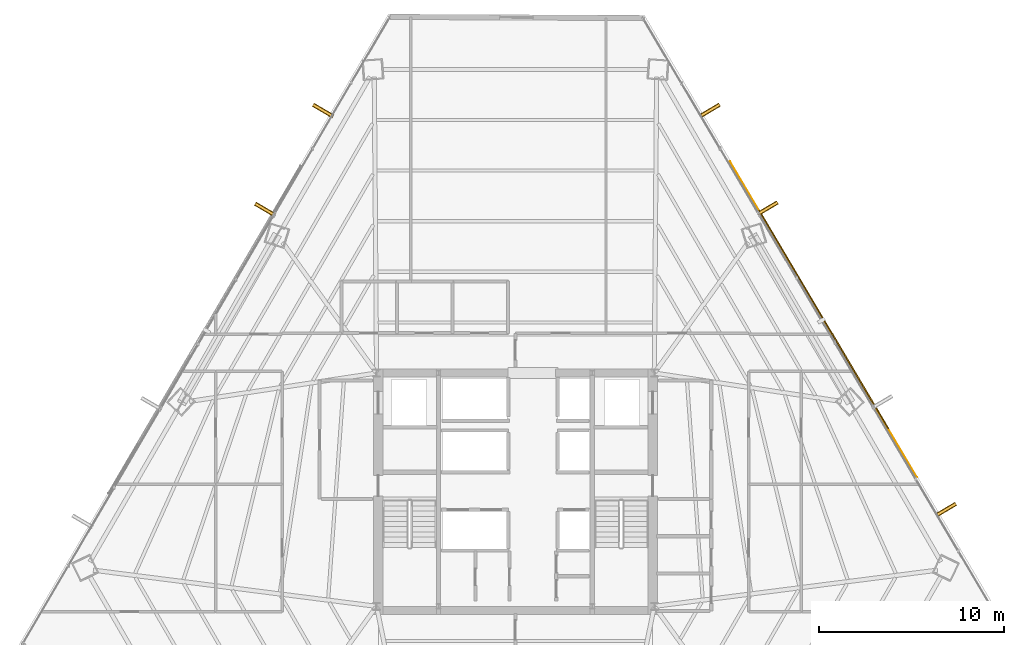
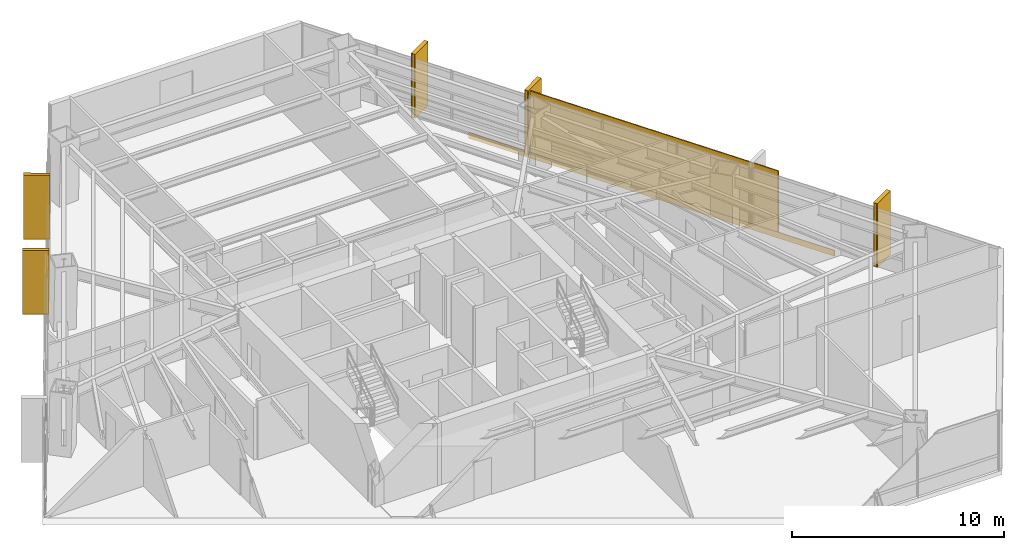
# One storey, part 35 of 35: 6 coverings, 6 shading devices.
"""IFC4 building model written with IfcOpenShell, lengths in metres."""

import ifcopenshell
import ifcopenshell.guid

model = None  # the IFC model being written
_history = None  # IfcOwnerHistory: only IFC2X3 demands one
_inside = {}  # id of a spatial element -> (the spatial element, [elements in it])
_under = {}  # id of a project, library or spatial element -> (it, [spatial elements below it])
_declared = {}  # id of a project -> (the project, [libraries it declares])
_typed = {}  # id of a type object -> (the type object, [elements of that type])
_made_of = {}  # id of a material, layer set ... -> (it, [elements and type objects made of it])


def new_model(schema):
    """Start an empty IFC model of exactly this schema.

    Asked for "IFC4X3", IfcOpenShell would pick the latest addendum, in which some entities
    have other attributes; the version numbers below select the first issue.
    IFC2X3 requires an IfcOwnerHistory on every rooted entity: one is made here for all.
    """
    global model, _history
    if schema == "IFC4X3":
        model = ifcopenshell.file(schema_version=(4, 3, 0, 0))
    else:
        model = ifcopenshell.file(schema=schema)
    _inside.clear()
    _under.clear()
    _declared.clear()
    _typed.clear()
    _made_of.clear()
    _history = None
    if model.schema == "IFC2X3":
        org = make("IfcOrganization", Name="unknown")
        user = make(
            "IfcPersonAndOrganization",
            ThePerson=make("IfcPerson", FamilyName="unknown"),
            TheOrganization=org,
        )
        app = make(
            "IfcApplication",
            ApplicationDeveloper=org,
            Version="unknown",
            ApplicationFullName="unknown",
            ApplicationIdentifier="unknown",
        )
        _history = make(
            "IfcOwnerHistory",
            OwningUser=user,
            OwningApplication=app,
            ChangeAction="ADDED",
            CreationDate=0,
        )
    return model


def make(cls, **values):
    """One entity of the class cls with the attributes given. An attribute that is None is left unset."""
    return model.create_entity(
        cls, **{name: value for name, value in values.items() if value is not None}
    )


def rooted(cls, **values):
    """An entity with a GlobalId (a new one), such as an element, a storey or a relation."""
    return make(cls, GlobalId=ifcopenshell.guid.new(), OwnerHistory=_history, **values)


def si_unit(unit_type, name, prefix=None):
    """IfcSIUnit, for example si_unit("LENGTHUNIT", "METRE", prefix="MILLI")."""
    return make("IfcSIUnit", UnitType=unit_type, Prefix=prefix, Name=name)


def assignment(units):
    """IfcUnitAssignment: the units of a project."""
    return None if units is None else make("IfcUnitAssignment", Units=units)


def point(xyz):
    """IfcCartesianPoint."""
    return None if xyz is None else make("IfcCartesianPoint", Coordinates=xyz)


def direction(xyz):
    """IfcDirection."""
    return None if xyz is None else make("IfcDirection", DirectionRatios=xyz)


def frame(location, z_axis=None, x_axis=None):
    """IfcAxis2Placement3D, a coordinate frame: its origin and axes. An axis left out is left unset."""
    return make(
        "IfcAxis2Placement3D",
        Location=point(location),
        Axis=direction(z_axis),
        RefDirection=direction(x_axis),
    )


def frame_2d(location, x_axis=None):
    """IfcAxis2Placement2D, a coordinate frame in the plane: its origin and x axis."""
    return make(
        "IfcAxis2Placement2D", Location=point(location), RefDirection=direction(x_axis)
    )


def origin():
    """The frame at (0, 0, 0) with its axes left unset."""
    return frame((0.0, 0.0, 0.0))


def origin_2d():
    """The frame at (0, 0) in the plane with its x axis left unset."""
    return frame_2d((0.0, 0.0))


def place(relative_to, where):
    """IfcLocalPlacement: puts the frame where relative to a parent placement (None: the world)."""
    return make(
        "IfcLocalPlacement", PlacementRelTo=relative_to, RelativePlacement=where
    )


def context(
    kind, dimensions, precision=None, world=None, true_north=None, identifier=None
):
    """IfcGeometricRepresentationContext, for example the 3D "Model" context."""
    return make(
        "IfcGeometricRepresentationContext",
        ContextIdentifier=identifier,
        ContextType=kind,
        CoordinateSpaceDimension=dimensions,
        Precision=precision,
        WorldCoordinateSystem=world,
        TrueNorth=true_north,
    )


def subcontext(parent, identifier, kind, view, scale=None):
    """IfcGeometricRepresentationSubContext, for example "Body" below "Model"."""
    return make(
        "IfcGeometricRepresentationSubContext",
        ContextIdentifier=identifier,
        ContextType=kind,
        ParentContext=parent,
        TargetScale=scale,
        TargetView=view,
    )


def project(units=None, contexts=None):
    """IfcProject with its units and contexts."""
    return rooted(
        "IfcProject",
        Name="project",
        RepresentationContexts=contexts,
        UnitsInContext=assignment(units),
    )


def spatial(cls, under=None, at=None, **own):
    """A site, building, storey or space (cls), placed at a placement, below another one or the project."""
    s = rooted(cls, ObjectPlacement=at, **own)
    if under is not None:
        _under.setdefault(under.id(), (under, []))[1].append(s)
    return s


def profile(cls, at=None, kind="AREA", **sizes):
    """A parametric profile (cls). Its sizes go by their IFC names, for example OverallWidth=200.0."""
    return make(cls, ProfileType=kind, Position=at, **sizes)


def rectangle(**sizes):
    """IfcRectangleProfileDef."""
    return profile("IfcRectangleProfileDef", **sizes)


def extrude(swept, where, along, depth):
    """IfcExtrudedAreaSolid: the profile swept, set in the frame where, extruded along a direction by depth."""
    return make(
        "IfcExtrudedAreaSolid",
        SweptArea=swept,
        Position=where,
        ExtrudedDirection=direction(along),
        Depth=depth,
    )


def shape(context_of_items, identifier, shape_type, items):
    """IfcShapeRepresentation: the items that make up one representation, for example the "Body"."""
    return make(
        "IfcShapeRepresentation",
        ContextOfItems=context_of_items,
        RepresentationIdentifier=identifier,
        RepresentationType=shape_type,
        Items=items,
    )


def source(mapping_origin, context_of_items, identifier, shape_type, items):
    """IfcRepresentationMap: a shape defined once, which mapped items show again and again."""
    return make(
        "IfcRepresentationMap",
        MappingOrigin=mapping_origin,
        MappedRepresentation=shape(context_of_items, identifier, shape_type, items),
    )


def transform(
    local_origin,
    x_axis=None,
    y_axis=None,
    z_axis=None,
    scale=None,
    scale2=None,
    scale3=None,
    uniform=True,
):
    """IfcCartesianTransformationOperator3D, or its non-uniform kind. x_axis, y_axis, z_axis: its Axis1, 2, 3."""
    if uniform:
        return make(
            "IfcCartesianTransformationOperator3D",
            Axis1=direction(x_axis),
            Axis2=direction(y_axis),
            LocalOrigin=point(local_origin),
            Scale=scale,
            Axis3=direction(z_axis),
        )
    return make(
        "IfcCartesianTransformationOperator3DnonUniform",
        Axis1=direction(x_axis),
        Axis2=direction(y_axis),
        LocalOrigin=point(local_origin),
        Scale=scale,
        Axis3=direction(z_axis),
        Scale2=scale2,
        Scale3=scale3,
    )


def mapped(mapping_source, mapping_target):
    """IfcMappedItem: shows the shape of a source again, moved by a transform."""
    return make(
        "IfcMappedItem", MappingSource=mapping_source, MappingTarget=mapping_target
    )


def material(Name=None, Category=None):
    """IfcMaterial."""
    return make("IfcMaterial", Name=Name, Category=Category)


def layer(
    of_material, thickness, ventilated=None, Name=None, Category=None, Priority=None
):
    """IfcMaterialLayer: one layer of a wall or slab, of a material (None: an air gap)."""
    return make(
        "IfcMaterialLayer",
        Material=of_material,
        LayerThickness=thickness,
        IsVentilated=ventilated,
        Name=Name,
        Category=Category,
        Priority=Priority,
    )


def layer_set(layers, Name=None):
    """IfcMaterialLayerSet."""
    return make("IfcMaterialLayerSet", MaterialLayers=layers, LayerSetName=Name)


def made_of(thing, what):
    """Note that an element or type object is made of a material, layer set ...; save() writes the relation."""
    if what is not None:
        _made_of.setdefault(what.id(), (what, []))[1].append(thing)
    return thing


def type_object(cls, material=None, **own):
    """A type object (cls), such as IfcWallType, which elements share."""
    return made_of(rooted(cls, **own), material)


def type_shapes(of_type, sources):
    """Give a type object the sources (RepresentationMaps) that its elements show as mapped items."""
    of_type.RepresentationMaps = sources


def element(
    cls,
    number,
    at=None,
    inside=None,
    cuts=None,
    type_object=None,
    material=None,
    context=None,
    identifier="Body",
    shape_type=None,
    held_by="IfcProductDefinitionShape",
    body=None,
    shapes=None,
    **own,
):
    """One element of the class cls, such as IfcWall. Its Tag is "e" and its number.

    at: its placement. inside: the storey or other place that contains it. cuts: it is an
    opening in that element (IfcRelVoidsElement). A single representation is given by context,
    identifier, shape_type and body (its items); several are given by shapes. held_by: the class
    of the entity that holds the representations. save() writes the other relations.
    """
    e = rooted(cls, Tag="e%d" % number, ObjectPlacement=at, **own)
    if body is not None:
        shapes = [shape(context, identifier, shape_type, body)]
    if shapes is not None:
        e.Representation = make(held_by, Representations=shapes)
    if inside is not None:
        _inside.setdefault(inside.id(), (inside, []))[1].append(e)
    if cuts is not None:
        rooted(
            "IfcRelVoidsElement", RelatingBuildingElement=cuts, RelatedOpeningElement=e
        )
    if type_object is not None:
        _typed.setdefault(type_object.id(), (type_object, []))[1].append(e)
    return made_of(e, material)


def aggregate(whole, parts):
    """IfcRelAggregates: a whole, such as a stair, and the parts it consists of."""
    return rooted("IfcRelAggregates", RelatingObject=whole, RelatedObjects=parts)


def save(model, path):
    """Write the relations noted so far, then the file.

    IfcRelAggregates (storeys below a building ...), IfcRelContainedInSpatialStructure (elements
    in a storey), IfcRelDefinesByType, IfcRelAssociatesMaterial and IfcRelDeclares: one each for
    every whole, place, type object, material and project.
    """
    for whole, parts in _under.values():
        aggregate(whole, parts)
    for where, things in _inside.values():
        rooted(
            "IfcRelContainedInSpatialStructure",
            RelatedElements=things,
            RelatingStructure=where,
        )
    for kind, things in _typed.values():
        rooted("IfcRelDefinesByType", RelatedObjects=things, RelatingType=kind)
    for what, things in _made_of.values():
        rooted("IfcRelAssociatesMaterial", RelatedObjects=things, RelatingMaterial=what)
    for by, libraries in _declared.values():
        rooted("IfcRelDeclares", RelatingContext=by, RelatedDefinitions=libraries)
    model.write(path)


model = new_model("IFC4")

# Units and contexts
model_context = context("Model", 3, precision=1e-05, world=origin(), true_north=direction((0.0, 1.0)))
body_context = subcontext(model_context, "Body", "Model", "MODEL_VIEW")
ifc_project = project(units=[si_unit("LENGTHUNIT", "METRE"), si_unit("AREAUNIT", "SQUARE_METRE"), si_unit("VOLUMEUNIT", "CUBIC_METRE"), si_unit("PLANEANGLEUNIT", "RADIAN"), si_unit("MASSUNIT", "GRAM", prefix="KILO")], contexts=[model_context])

# Site, building, storey
site_placement = place(None, origin())
site = spatial("IfcSite", under=ifc_project, at=site_placement, CompositionType="ELEMENT")
building_placement = place(site_placement, origin())
building = spatial("IfcBuilding", under=site, at=building_placement, Name="Caelisora Broadcast Tower", CompositionType="ELEMENT")
storey_placement = place(building_placement, frame((0.0, 0.0, 94.449951171875)))
storey = spatial("IfcBuildingStorey", under=building, at=storey_placement, Name="L24", CompositionType="ELEMENT", Elevation=94.449951171875)

# Coverings
ifc_material_1 = material(Name="Kiln-Fired Terracotta Spandrel Rainscreen Cladding", Category="ceramic")
ifc_layer_1 = layer(ifc_material_1, 0.044921875, Name="Kiln-Fired Terracotta Spandrel Rainscreen Cladding")
ifc_layer_set_1 = layer_set([ifc_layer_1], Name="Kiln-Fired Terracotta Spandrel Rainscreen Cladding")
covering_type = type_object("IfcCoveringType", Name="CL-1", PredefinedType="CLADDING", material=ifc_layer_set_1)
shared_shape_1 = source(origin(), body_context, "Body", "SweptSolid", [
    extrude(rectangle(XDim=0.219970703125, YDim=1.25, at=origin_2d()), origin(), (0.0, 0.0, 1.0), 3.68994140625),
])
for number, where, z_axis, x_axis, name in (
    (1, (48.492919921875, 44.176513671875, -0.02001953125), (0.0, 0.0, 1.0), (0.509341840379, -0.860564285593, 0.0), "L24 vertical solar fin cladding #1-1"),
    (2, (51.61767578125, 38.89697265625, -0.02001953125), (0.0, 0.0, 1.0), (0.509341840379, -0.860564285593, 0.0), "L24 vertical solar fin cladding #1-2"),
    (3, (61.25048828125, 22.62109375, -0.02001953125), (0.0, 0.0, 1.0), (0.509341840379, -0.860564285593, 0.0), "L24 vertical solar fin cladding #1-4"),
    (4, (24.480712890625, 38.83203125, -0.02001953125), (0.0, 0.0, 1.0), (0.505431492718, 0.862866737202, 0.0), "L24 vertical solar fin cladding #3-3"),
    (5, (27.6103515625, 44.174560546875, -0.02001953125), (0.0, 0.0, 1.0), (0.505431492718, 0.862866737202, 0.0), "L24 vertical solar fin cladding #3-4"),
):
    element("IfcCovering", number, at=place(storey_placement, frame(where, z_axis=z_axis, x_axis=x_axis)), inside=storey, type_object=covering_type, Name=name, PredefinedType="CLADDING", context=body_context, shape_type="MappedRepresentation", body=[
        mapped(shared_shape_1, transform((0.0, 0.0, 0.0), scale=1.0)),
    ])

# Shading devices
ifc_material_2 = material(Name="Extruded Terracotta Flaring Colonnade Fin", Category="ceramic")
ifc_layer_2 = layer(ifc_material_2, 0.139892578125, Name="Extruded Terracotta Flaring Colonnade Fin")
ifc_layer_set_2 = layer_set([ifc_layer_2], Name="Extruded Terracotta Flaring Colonnade Fin")
shading_device_type_1 = type_object("IfcShadingDeviceType", Name="FN-1", PredefinedType="USERDEFINED", material=ifc_layer_set_2)
shared_shape_2 = source(origin(), body_context, "Body", "SweptSolid", [
    extrude(rectangle(XDim=0.139892578125, YDim=1.25, at=origin_2d()), origin(), (0.0, 0.0, 1.0), 3.669921875),
])
type_shapes(shading_device_type_1, [shared_shape_2])
for number, where, z_axis, x_axis, name in (
    (6, (48.492919921875, 44.176513671875, -0.010009765625), (0.0, 0.0, 1.0), (0.509341840379, -0.860564285593, 0.0), "L24 vertical terracotta fin #1-1"),
    (7, (51.61767578125, 38.89697265625, -0.010009765625), (0.0, 0.0, 1.0), (0.509341840379, -0.860564285593, 0.0), "L24 vertical terracotta fin #1-2"),
    (8, (61.25048828125, 22.62109375, -0.010009765625), (0.0, 0.0, 1.0), (0.509341840379, -0.860564285593, 0.0), "L24 vertical terracotta fin #1-4"),
    (9, (24.480712890625, 38.83203125, -0.010009765625), (0.0, 0.0, 1.0), (0.505431492718, 0.862866737202, 0.0), "L24 vertical terracotta fin #3-3"),
    (10, (27.6103515625, 44.174560546875, -0.010009765625), (0.0, 0.0, 1.0), (0.505431492718, 0.862866737202, 0.0), "L24 vertical terracotta fin #3-4"),
):
    element("IfcShadingDevice", number, at=place(storey_placement, frame(where, z_axis=z_axis, x_axis=x_axis)), inside=storey, type_object=shading_device_type_1, Name=name, ObjectType="FIN", PredefinedType="USERDEFINED", context=body_context, shape_type="MappedRepresentation", body=[
        mapped(shared_shape_2, transform((0.0, 0.0, 0.0), scale=1.0)),
    ])
ifc_material_3 = material(Name="Perforated Glazed Terracotta Baguette Solar Screen", Category="ceramic")
ifc_layer_3 = layer(ifc_material_3, 0.06494140625, Name="Perforated Glazed Terracotta Baguette Solar Screen")
ifc_layer_set_3 = layer_set([ifc_layer_3], Name="Perforated Glazed Terracotta Baguette Solar Screen")
shading_device_type_2 = type_object("IfcShadingDeviceType", Name="SS-1", PredefinedType="USERDEFINED", material=ifc_layer_set_3)
shared_shape_3 = source(origin(), body_context, "Body", "SweptSolid", [
    extrude(rectangle(XDim=13.720947265625, YDim=0.06494140625, at=origin_2d()), origin(), (0.0, 0.0, 1.0), 3.590087890625),
])
type_shapes(shading_device_type_2, [shared_shape_3])
shading_device_placement = place(storey_placement, frame((54.64404296875, 32.900146484375, 0.0), z_axis=(0.0, 0.0, 1.0), x_axis=(-0.509341840379, 0.860564285593, 0.0)))
element("IfcShadingDevice", 11, at=shading_device_placement, inside=storey, type_object=shading_device_type_2, Name="L24 perforated terracotta solar screen #3", ObjectType="SOLAR SCREEN", PredefinedType="USERDEFINED", context=body_context, shape_type="MappedRepresentation", body=[
    mapped(shared_shape_3, transform((0.0, 0.0, 0.0), scale=1.0)),
])

# Covering
shared_shape_4 = source(origin(), body_context, "Body", "SweptSolid", [
    extrude(rectangle(XDim=19.820068359375, YDim=0.044921875, at=origin_2d()), origin(), (0.0, 0.0, 1.0), 0.340087890625),
])
type_shapes(covering_type, [shared_shape_1, shared_shape_4])
covering_placement = place(storey_placement, frame((54.626953125, 32.889892578125, -0.27001953125), z_axis=(0.0, 0.0, 1.0), x_axis=(-0.509341840379, 0.860564285593, 0.0)))
element("IfcCovering", 12, at=covering_placement, inside=storey, type_object=covering_type, Name="L24 terracotta spandrel rainscreen #3", PredefinedType="CLADDING", context=body_context, shape_type="MappedRepresentation", body=[
    mapped(shared_shape_4, transform((0.0, 0.0, 0.0), scale=1.0)),
])

save(model, "model.ifc")
